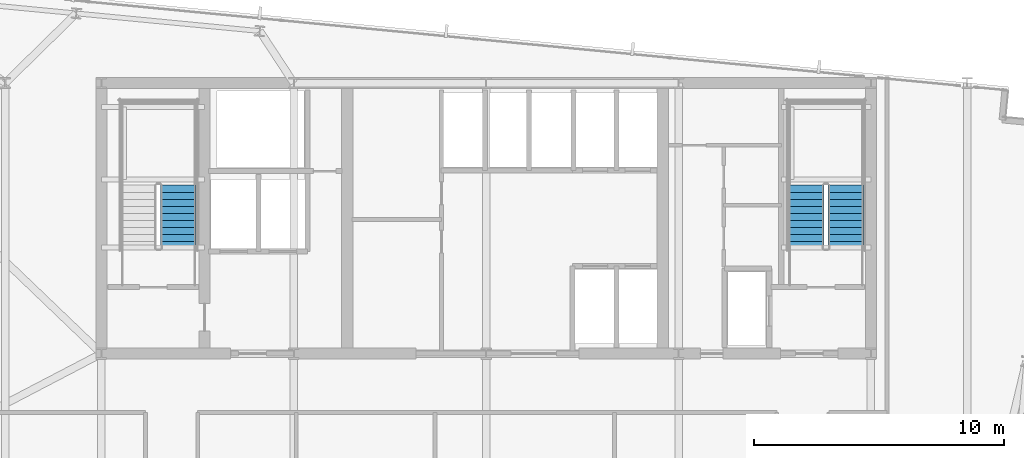
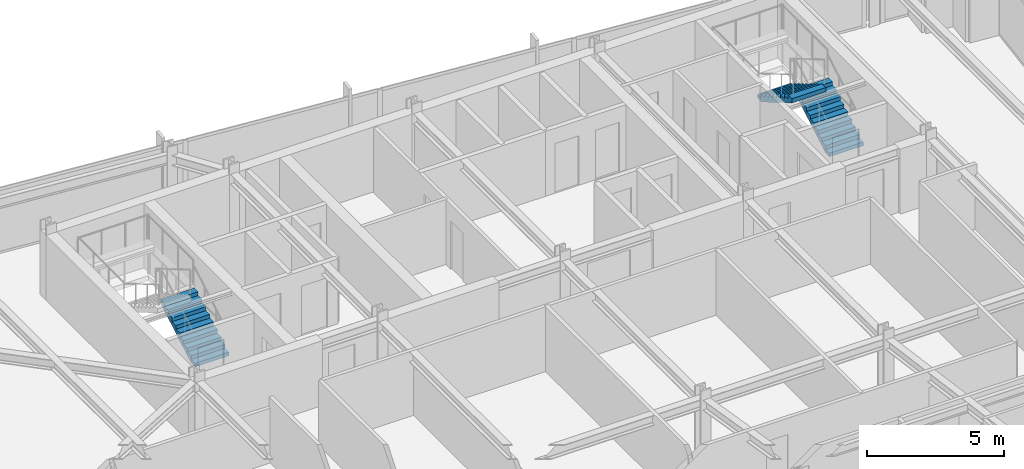
# One storey, part 32 of 37: 3 stair flights, 2 elements without a shape of their own.
"""IFC4 building model written with IfcOpenShell, lengths in metres."""

from ifc_helpers import new_model, si_unit, direction, frame, origin, place, context, subcontext, project, spatial, polyline, outline, extrude, material, type_object, element, aggregate, save


model = new_model("IFC4")

# Units and contexts
model_context = context("Model", 3, precision=1e-05, world=origin(), true_north=direction((0.0, 1.0)))
body_context = subcontext(model_context, "Body", "Model", "MODEL_VIEW")
ifc_project = project(units=[si_unit("LENGTHUNIT", "METRE"), si_unit("AREAUNIT", "SQUARE_METRE"), si_unit("VOLUMEUNIT", "CUBIC_METRE"), si_unit("PLANEANGLEUNIT", "RADIAN"), si_unit("MASSUNIT", "GRAM", prefix="KILO")], contexts=[model_context])

# Site, building, storey
site_placement = place(None, origin())
site = spatial("IfcSite", under=ifc_project, at=site_placement, CompositionType="ELEMENT")
building_placement = place(site_placement, origin())
building = spatial("IfcBuilding", under=site, at=building_placement, Name="Yelkora Congress Tower", CompositionType="ELEMENT")
storey_placement = place(building_placement, frame((0.0, 0.0, 188.60009765625)))
storey = spatial("IfcBuildingStorey", under=building, at=storey_placement, Name="L52", CompositionType="ELEMENT", Elevation=188.60009765625)

# Stair, stair flight
ifc_material = material(Name="Concrete C40/50", Category="concrete")
stair_type = type_object("IfcStairType", Name="STAIR-HT-1420-R20-165", PredefinedType="HALF_TURN_STAIR", material=ifc_material)
stair_1_placement = place(storey_placement, origin())
stair_1 = element("IfcStair", 1, at=stair_1_placement, inside=storey, type_object=stair_type, Name="West Core Protected Exit Stair ST-01 (L52)", PredefinedType="HALF_TURN_STAIR")
stair_flight_type = type_object("IfcStairFlightType", Name="FLIGHT-1420-N10-R165-G280", PredefinedType="STRAIGHT", material=ifc_material)
stair_flight_1_placement = place(storey_placement, frame((26.110107421875, 39.60009765625, 0.0), z_axis=(0.0, 0.0, 1.0), x_axis=(0.0, 1.0, 0.0)))
stair_flight_1 = element("IfcStairFlight", 2, at=stair_flight_1_placement, type_object=stair_flight_type, Name="ST-01 L52 Flight 1", NumberOfRisers=10, NumberOfTreads=9, PredefinedType="STRAIGHT", RiserHeight=0.165, TreadLength=0.28, context=body_context, shape_type="SweptSolid", body=[
    extrude(outline(polyline([(0.0, 0.0), (0.0, 0.1650390625), (0.280029296875, 0.1650390625), (0.280029296875, 0.330078125), (0.56005859375, 0.330078125), (0.56005859375, 0.4951171875), (0.840087890625, 0.4951171875), (0.840087890625, 0.659912109375), (1.1201171875, 0.659912109375), (1.1201171875, 0.824951171875), (1.39990234375, 0.824951171875), (1.39990234375, 0.989990234375), (1.679931640625, 0.989990234375), (1.679931640625, 1.155029296875), (1.9599609375, 1.155029296875), (1.9599609375, 1.320068359375), (2.239990234375, 1.320068359375), (2.239990234375, 1.485107421875), (2.52001953125, 1.485107421875), (2.52001953125, 1.64990234375), (2.52001953125, 1.29931640625), (0.31494140625, 0.0), (0.0, 0.0)])), frame((0.0, 0.7099609375, 0.0), z_axis=(0.0, -1.0, 0.0), x_axis=(1.0, 0.0, 0.0)), (0.0, 0.0, 1.0), 1.419921875),
])
aggregate(stair_1, [stair_flight_1])

# Stair, stair flights
stair_2_placement = place(storey_placement, origin())
stair_2 = element("IfcStair", 3, at=stair_2_placement, inside=storey, type_object=stair_type, Name="East Core Protected Exit Stair ST-02 (L52)", PredefinedType="HALF_TURN_STAIR")
stair_flight_2_placement = place(storey_placement, frame((52.75, 39.60009765625, 0.0), z_axis=(0.0, 0.0, 1.0), x_axis=(0.0, 1.0, 0.0)))
stair_flight_2 = element("IfcStairFlight", 4, at=stair_flight_2_placement, type_object=stair_flight_type, Name="ST-02 L52 Flight 1", NumberOfRisers=10, NumberOfTreads=9, PredefinedType="STRAIGHT", RiserHeight=0.165, TreadLength=0.28, context=body_context, shape_type="SweptSolid", body=[
    extrude(outline(polyline([(0.0, 0.0), (0.0, 0.1650390625), (0.280029296875, 0.1650390625), (0.280029296875, 0.330078125), (0.56005859375, 0.330078125), (0.56005859375, 0.4951171875), (0.840087890625, 0.4951171875), (0.840087890625, 0.659912109375), (1.1201171875, 0.659912109375), (1.1201171875, 0.824951171875), (1.39990234375, 0.824951171875), (1.39990234375, 0.989990234375), (1.679931640625, 0.989990234375), (1.679931640625, 1.155029296875), (1.9599609375, 1.155029296875), (1.9599609375, 1.320068359375), (2.239990234375, 1.320068359375), (2.239990234375, 1.485107421875), (2.52001953125, 1.485107421875), (2.52001953125, 1.64990234375), (2.52001953125, 1.29931640625), (0.31494140625, 0.0), (0.0, 0.0)])), frame((0.0, 0.7099609375, 0.0), z_axis=(0.0, -1.0, 0.0), x_axis=(1.0, 0.0, 0.0)), (0.0, 0.0, 1.0), 1.419921875),
])
stair_flight_3_placement = place(storey_placement, frame((51.169921875, 42.1201171875, 1.64990234375), z_axis=(0.0, 0.0, 1.0), x_axis=(0.0, -1.0, 0.0)))
stair_flight_3 = element("IfcStairFlight", 5, at=stair_flight_3_placement, type_object=stair_flight_type, Name="ST-02 L52 Flight 2", NumberOfRisers=10, NumberOfTreads=9, PredefinedType="STRAIGHT", RiserHeight=0.165, TreadLength=0.28, context=body_context, shape_type="SweptSolid", body=[
    extrude(outline(polyline([(0.0, 0.0), (0.0, 0.1650390625), (0.280029296875, 0.1650390625), (0.280029296875, 0.330078125), (0.56005859375, 0.330078125), (0.56005859375, 0.4951171875), (0.840087890625, 0.4951171875), (0.840087890625, 0.659912109375), (1.1201171875, 0.659912109375), (1.1201171875, 0.824951171875), (1.39990234375, 0.824951171875), (1.39990234375, 0.989990234375), (1.679931640625, 0.989990234375), (1.679931640625, 1.155029296875), (1.9599609375, 1.155029296875), (1.9599609375, 1.320068359375), (2.239990234375, 1.320068359375), (2.239990234375, 1.485107421875), (2.52001953125, 1.485107421875), (2.52001953125, 1.64990234375), (2.52001953125, 1.29931640625), (0.31494140625, 0.0), (0.0, 0.0)])), frame((0.0, 0.7099609375, 0.0), z_axis=(0.0, -1.0, 0.0), x_axis=(1.0, 0.0, 0.0)), (0.0, 0.0, 1.0), 1.419921875),
])
aggregate(stair_2, [stair_flight_2, stair_flight_3])

save(model, "model.ifc")
